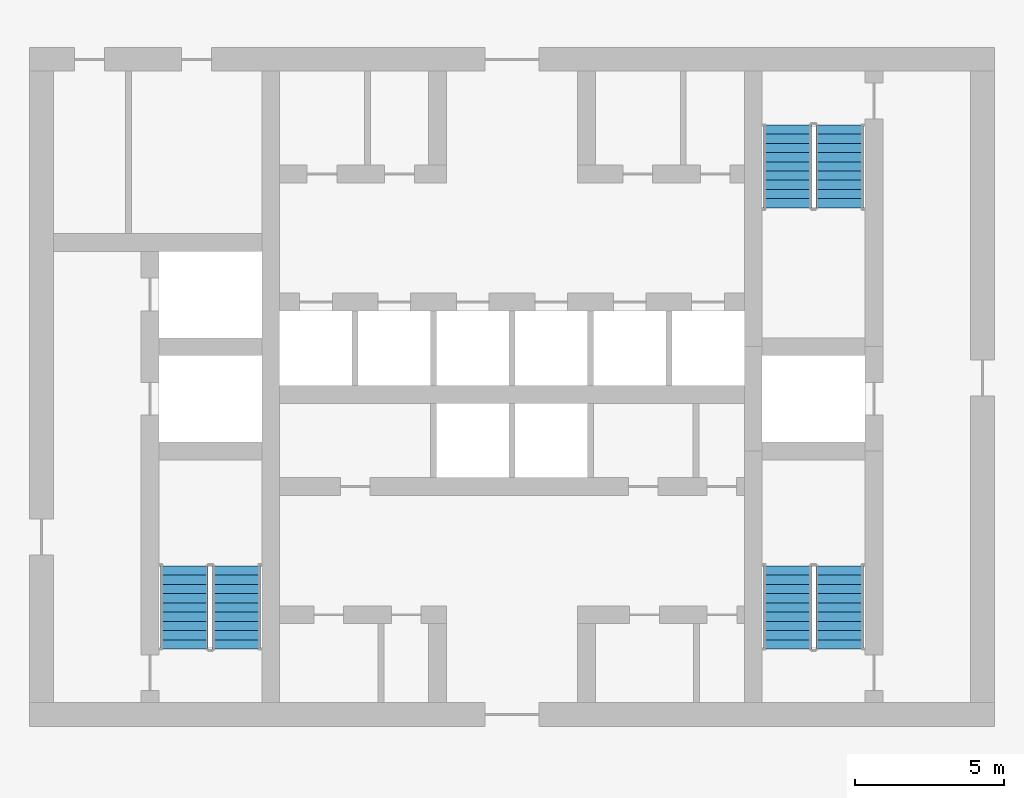
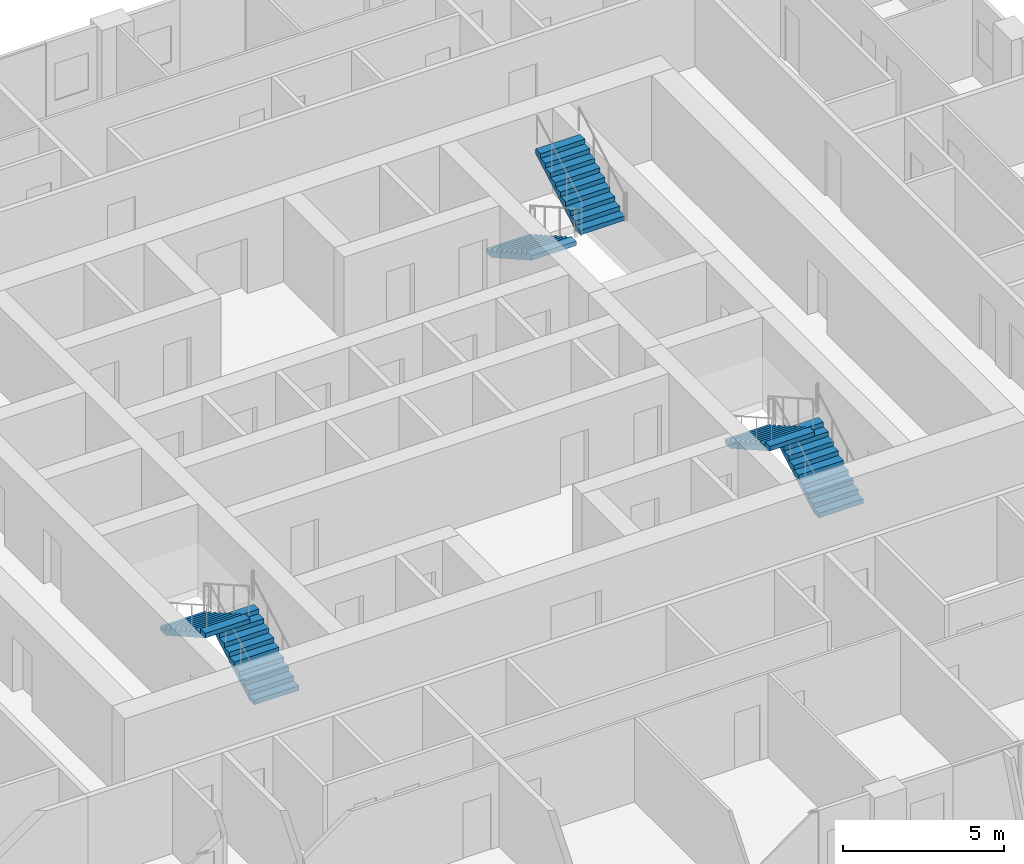
# One storey, part 16 of 22: 6 stair flights, 3 elements without a shape of their own.
"""IFC4 building model written with IfcOpenShell, lengths in metres."""

from ifc_helpers import new_model, si_unit, direction, frame, origin, place, context, subcontext, project, spatial, polyline, outline, extrude, material, type_object, element, aggregate, save


model = new_model("IFC4")

# Units and contexts
model_context = context("Model", 3, precision=1e-05, world=origin(), true_north=direction((0.0, 1.0)))
body_context = subcontext(model_context, "Body", "Model", "MODEL_VIEW")
ifc_project = project(units=[si_unit("LENGTHUNIT", "METRE"), si_unit("AREAUNIT", "SQUARE_METRE"), si_unit("VOLUMEUNIT", "CUBIC_METRE"), si_unit("PLANEANGLEUNIT", "RADIAN"), si_unit("MASSUNIT", "GRAM", prefix="KILO")], contexts=[model_context])

# Site, building, storey
site_placement = place(None, origin())
site = spatial("IfcSite", under=ifc_project, at=site_placement, CompositionType="ELEMENT")
building_placement = place(site_placement, origin())
building = spatial("IfcBuilding", under=site, at=building_placement, Name="Madar Terraces", CompositionType="ELEMENT")
storey_placement = place(building_placement, frame((0.0, 0.0, 159.5)))
storey = spatial("IfcBuildingStorey", under=building, at=storey_placement, Name="L41", CompositionType="ELEMENT", Elevation=159.5)

# Stair, stair flights
ifc_material_1 = material(Name="Concrete C50/60", Category="concrete")
stair_type_1 = type_object("IfcStairType", Name="Stair ST1 protected exit", PredefinedType="HALF_TURN_STAIR", material=ifc_material_1)
stair_1_placement = place(storey_placement, origin())
stair_1 = element("IfcStair", 1, at=stair_1_placement, inside=storey, type_object=stair_type_1, Name="L41 Protected Exit Stair ST1", PredefinedType="HALF_TURN_STAIR")
ifc_material_2 = material(Name="Concrete C50/60", Category="concrete")
stair_flight_type_1 = type_object("IfcStairFlightType", Name="Stair flight ST1-F4, 1600 wide, 10 risers", PredefinedType="STRAIGHT", material=ifc_material_2)
stair_flight_1_placement = place(storey_placement, frame((21.949951171875, 17.60009765625, 0.0), z_axis=(0.0, 0.0, 1.0), x_axis=(0.0, 1.0, 0.0)))
stair_flight_1 = element("IfcStairFlight", 2, at=stair_flight_1_placement, type_object=stair_flight_type_1, Name="ST1 flight 1", NumberOfRisers=10, NumberOfTreads=9, PredefinedType="STRAIGHT", RiserHeight=0.175, TreadLength=0.31, context=body_context, shape_type="SweptSolid", body=[
    extrude(outline(polyline([(0.0, 0.0), (0.0, 0.175048828125), (0.31005859375, 0.175048828125), (0.31005859375, 0.35009765625), (0.6201171875, 0.35009765625), (0.6201171875, 0.52490234375), (0.929931640625, 0.52490234375), (0.929931640625, 0.699951171875), (1.239990234375, 0.699951171875), (1.239990234375, 0.875), (1.550048828125, 0.875), (1.550048828125, 1.050048828125), (1.860107421875, 1.050048828125), (1.860107421875, 1.22509765625), (2.169921875, 1.22509765625), (2.169921875, 1.39990234375), (2.47998046875, 1.39990234375), (2.47998046875, 1.574951171875), (2.7900390625, 1.574951171875), (2.7900390625, 1.75), (2.7900390625, 1.40283203125), (0.304931640625, 0.0), (0.0, 0.0)])), frame((0.0, 0.800048828125, 0.0), z_axis=(0.0, -1.0, 0.0), x_axis=(1.0, 0.0, 0.0)), (0.0, 0.0, 1.0), 1.60009765625),
])
stair_flight_2_placement = place(storey_placement, frame((20.199951171875, 20.389892578125, 1.75), z_axis=(0.0, 0.0, 1.0), x_axis=(0.0, -1.0, 0.0)))
stair_flight_2 = element("IfcStairFlight", 3, at=stair_flight_2_placement, type_object=stair_flight_type_1, Name="ST1 flight 2", NumberOfRisers=10, NumberOfTreads=9, PredefinedType="STRAIGHT", RiserHeight=0.175, TreadLength=0.31, context=body_context, shape_type="SweptSolid", body=[
    extrude(outline(polyline([(0.0, 0.0), (0.0, 0.175048828125), (0.31005859375, 0.175048828125), (0.31005859375, 0.35009765625), (0.6201171875, 0.35009765625), (0.6201171875, 0.52490234375), (0.929931640625, 0.52490234375), (0.929931640625, 0.699951171875), (1.239990234375, 0.699951171875), (1.239990234375, 0.875), (1.550048828125, 0.875), (1.550048828125, 1.050048828125), (1.860107421875, 1.050048828125), (1.860107421875, 1.22509765625), (2.169921875, 1.22509765625), (2.169921875, 1.39990234375), (2.47998046875, 1.39990234375), (2.47998046875, 1.574951171875), (2.7900390625, 1.574951171875), (2.7900390625, 1.75), (2.7900390625, 1.40283203125), (0.304931640625, 0.0), (0.0, 0.0)])), frame((0.0, 0.800048828125, 0.0), z_axis=(0.0, -1.0, 0.0), x_axis=(1.0, 0.0, 0.0)), (0.0, 0.0, 1.0), 1.60009765625),
])
aggregate(stair_1, [stair_flight_1, stair_flight_2])

ifc_material_3 = material(Name="Concrete C50/60", Category="concrete")
stair_type_2 = type_object("IfcStairType", Name="Stair ST2 protected exit", PredefinedType="HALF_TURN_STAIR", material=ifc_material_3)
stair_2_placement = place(storey_placement, origin())
stair_2 = element("IfcStair", 4, at=stair_2_placement, inside=storey, type_object=stair_type_2, Name="L41 Protected Exit Stair ST2", PredefinedType="HALF_TURN_STAIR")
ifc_material_4 = material(Name="Concrete C50/60", Category="concrete")
stair_flight_type_2 = type_object("IfcStairFlightType", Name="Stair flight ST2-F4, 1600 wide, 10 risers", PredefinedType="STRAIGHT", material=ifc_material_4)
stair_flight_3_placement = place(storey_placement, frame((40.449951171875, 35.199951171875, 0.0), z_axis=(0.0, 0.0, 1.0), x_axis=(0.0, -1.0, 0.0)))
stair_flight_3 = element("IfcStairFlight", 5, at=stair_flight_3_placement, type_object=stair_flight_type_2, Name="ST2 flight 1", NumberOfRisers=10, NumberOfTreads=9, PredefinedType="STRAIGHT", RiserHeight=0.175, TreadLength=0.31, context=body_context, shape_type="SweptSolid", body=[
    extrude(outline(polyline([(0.0, 0.0), (0.0, 0.175048828125), (0.31005859375, 0.175048828125), (0.31005859375, 0.35009765625), (0.6201171875, 0.35009765625), (0.6201171875, 0.52490234375), (0.929931640625, 0.52490234375), (0.929931640625, 0.699951171875), (1.239990234375, 0.699951171875), (1.239990234375, 0.875), (1.550048828125, 0.875), (1.550048828125, 1.050048828125), (1.860107421875, 1.050048828125), (1.860107421875, 1.22509765625), (2.169921875, 1.22509765625), (2.169921875, 1.39990234375), (2.47998046875, 1.39990234375), (2.47998046875, 1.574951171875), (2.7900390625, 1.574951171875), (2.7900390625, 1.75), (2.7900390625, 1.40283203125), (0.304931640625, 0.0), (0.0, 0.0)])), frame((0.0, 0.800048828125, 0.0), z_axis=(0.0, -1.0, 0.0), x_axis=(1.0, 0.0, 0.0)), (0.0, 0.0, 1.0), 1.60009765625),
])
stair_flight_4_placement = place(storey_placement, frame((42.199951171875, 32.409912109375, 1.75), z_axis=(0.0, 0.0, 1.0), x_axis=(0.0, 1.0, 0.0)))
stair_flight_4 = element("IfcStairFlight", 6, at=stair_flight_4_placement, type_object=stair_flight_type_2, Name="ST2 flight 2", NumberOfRisers=10, NumberOfTreads=9, PredefinedType="STRAIGHT", RiserHeight=0.175, TreadLength=0.31, context=body_context, shape_type="SweptSolid", body=[
    extrude(outline(polyline([(0.0, 0.0), (0.0, 0.175048828125), (0.31005859375, 0.175048828125), (0.31005859375, 0.35009765625), (0.6201171875, 0.35009765625), (0.6201171875, 0.52490234375), (0.929931640625, 0.52490234375), (0.929931640625, 0.699951171875), (1.239990234375, 0.699951171875), (1.239990234375, 0.875), (1.550048828125, 0.875), (1.550048828125, 1.050048828125), (1.860107421875, 1.050048828125), (1.860107421875, 1.22509765625), (2.169921875, 1.22509765625), (2.169921875, 1.39990234375), (2.47998046875, 1.39990234375), (2.47998046875, 1.574951171875), (2.7900390625, 1.574951171875), (2.7900390625, 1.75), (2.7900390625, 1.40283203125), (0.304931640625, 0.0), (0.0, 0.0)])), frame((0.0, 0.800048828125, 0.0), z_axis=(0.0, -1.0, 0.0), x_axis=(1.0, 0.0, 0.0)), (0.0, 0.0, 1.0), 1.60009765625),
])
aggregate(stair_2, [stair_flight_3, stair_flight_4])

ifc_material_5 = material(Name="Concrete C50/60", Category="concrete")
stair_type_3 = type_object("IfcStairType", Name="Stair ST3 protected exit", PredefinedType="HALF_TURN_STAIR", material=ifc_material_5)
stair_3_placement = place(storey_placement, origin())
stair_3 = element("IfcStair", 7, at=stair_3_placement, inside=storey, type_object=stair_type_3, Name="L41 Protected Exit Stair ST3", PredefinedType="HALF_TURN_STAIR")
ifc_material_6 = material(Name="Concrete C50/60", Category="concrete")
stair_flight_type_3 = type_object("IfcStairFlightType", Name="Stair flight ST3-F4, 1600 wide, 10 risers", PredefinedType="STRAIGHT", material=ifc_material_6)
stair_flight_5_placement = place(storey_placement, frame((42.199951171875, 17.60009765625, 0.0), z_axis=(0.0, 0.0, 1.0), x_axis=(0.0, 1.0, 0.0)))
stair_flight_5 = element("IfcStairFlight", 8, at=stair_flight_5_placement, type_object=stair_flight_type_3, Name="ST3 flight 1", NumberOfRisers=10, NumberOfTreads=9, PredefinedType="STRAIGHT", RiserHeight=0.175, TreadLength=0.31, context=body_context, shape_type="SweptSolid", body=[
    extrude(outline(polyline([(0.0, 0.0), (0.0, 0.175048828125), (0.31005859375, 0.175048828125), (0.31005859375, 0.35009765625), (0.6201171875, 0.35009765625), (0.6201171875, 0.52490234375), (0.929931640625, 0.52490234375), (0.929931640625, 0.699951171875), (1.239990234375, 0.699951171875), (1.239990234375, 0.875), (1.550048828125, 0.875), (1.550048828125, 1.050048828125), (1.860107421875, 1.050048828125), (1.860107421875, 1.22509765625), (2.169921875, 1.22509765625), (2.169921875, 1.39990234375), (2.47998046875, 1.39990234375), (2.47998046875, 1.574951171875), (2.7900390625, 1.574951171875), (2.7900390625, 1.75), (2.7900390625, 1.40283203125), (0.304931640625, 0.0), (0.0, 0.0)])), frame((0.0, 0.800048828125, 0.0), z_axis=(0.0, -1.0, 0.0), x_axis=(1.0, 0.0, 0.0)), (0.0, 0.0, 1.0), 1.60009765625),
])
stair_flight_6_placement = place(storey_placement, frame((40.449951171875, 20.389892578125, 1.75), z_axis=(0.0, 0.0, 1.0), x_axis=(0.0, -1.0, 0.0)))
stair_flight_6 = element("IfcStairFlight", 9, at=stair_flight_6_placement, type_object=stair_flight_type_3, Name="ST3 flight 2", NumberOfRisers=10, NumberOfTreads=9, PredefinedType="STRAIGHT", RiserHeight=0.175, TreadLength=0.31, context=body_context, shape_type="SweptSolid", body=[
    extrude(outline(polyline([(0.0, 0.0), (0.0, 0.175048828125), (0.31005859375, 0.175048828125), (0.31005859375, 0.35009765625), (0.6201171875, 0.35009765625), (0.6201171875, 0.52490234375), (0.929931640625, 0.52490234375), (0.929931640625, 0.699951171875), (1.239990234375, 0.699951171875), (1.239990234375, 0.875), (1.550048828125, 0.875), (1.550048828125, 1.050048828125), (1.860107421875, 1.050048828125), (1.860107421875, 1.22509765625), (2.169921875, 1.22509765625), (2.169921875, 1.39990234375), (2.47998046875, 1.39990234375), (2.47998046875, 1.574951171875), (2.7900390625, 1.574951171875), (2.7900390625, 1.75), (2.7900390625, 1.40283203125), (0.304931640625, 0.0), (0.0, 0.0)])), frame((0.0, 0.800048828125, 0.0), z_axis=(0.0, -1.0, 0.0), x_axis=(1.0, 0.0, 0.0)), (0.0, 0.0, 1.0), 1.60009765625),
])
aggregate(stair_3, [stair_flight_5, stair_flight_6])

save(model, "model.ifc")
